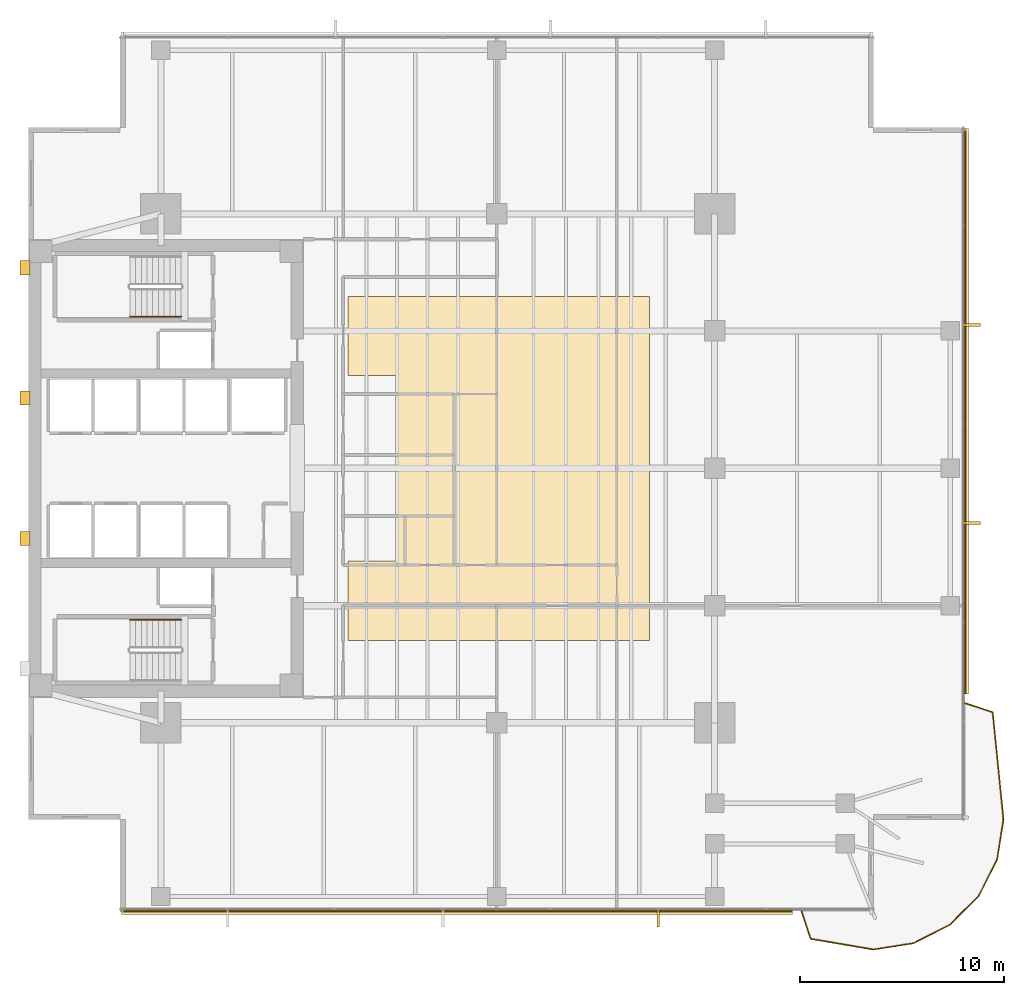
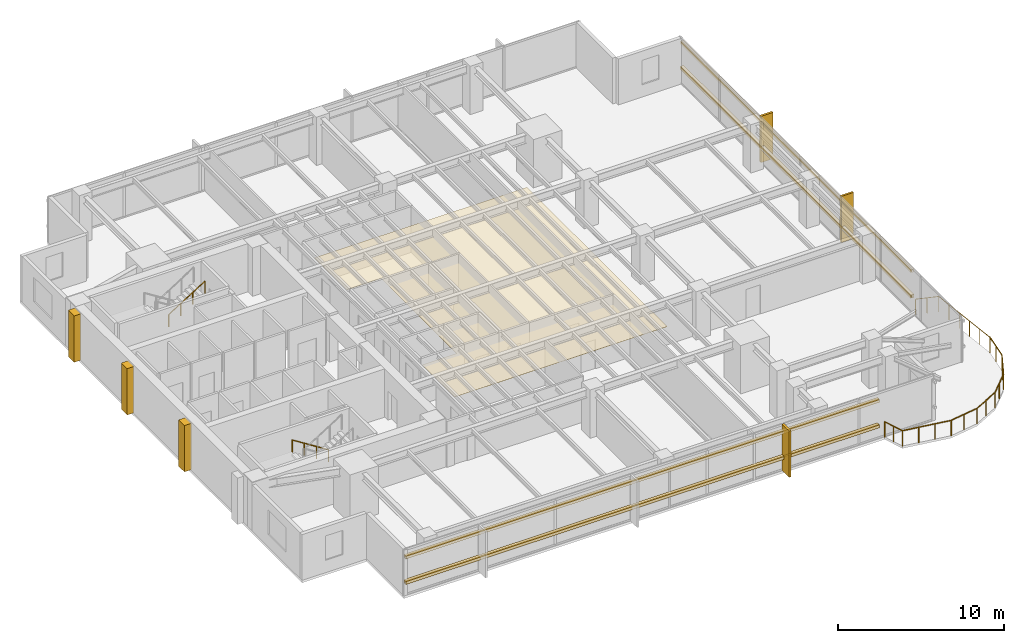
# One storey, part 12 of 14: 11 coverings, 11 railings, 4 shading devices.
"""IFC4 building model written with IfcOpenShell, lengths in metres."""

from ifc_helpers import new_model, si_unit, direction, frame, origin, origin_2d, place, context, subcontext, project, spatial, polyline, rectangle, circle, outline, extrude, material, layer, layer_set, material_profile, profile_set, type_object, element, save


model = new_model("IFC4")

# Units and contexts
model_context = context("Model", 3, precision=1e-05, world=origin(), true_north=direction((0.0, 1.0)))
body_context = subcontext(model_context, "Body", "Model", "MODEL_VIEW")
ifc_project = project(units=[si_unit("LENGTHUNIT", "METRE"), si_unit("AREAUNIT", "SQUARE_METRE"), si_unit("VOLUMEUNIT", "CUBIC_METRE"), si_unit("PLANEANGLEUNIT", "RADIAN"), si_unit("MASSUNIT", "GRAM", prefix="KILO")], contexts=[model_context])

# Site, building, storey
site_placement = place(None, origin())
site = spatial("IfcSite", under=ifc_project, at=site_placement, CompositionType="ELEMENT")
building_placement = place(site_placement, origin())
building = spatial("IfcBuilding", under=site, at=building_placement, Name="Kinhvarn Gate Tower", CompositionType="ELEMENT")
storey_placement = place(building_placement, frame((0.0, 0.0, 141.300048828125)))
storey = spatial("IfcBuildingStorey", under=building, at=storey_placement, Name="L37", CompositionType="ELEMENT", Elevation=141.300048828125)

# Coverings
ifc_material_1 = material(Name="Fired architectural terracotta", Category="masonry")
ifc_layer_1 = layer(ifc_material_1, 0.239990234375)
ifc_layer_set_1 = layer_set([ifc_layer_1], Name="Fired architectural terracotta")
covering_type_1 = type_object("IfcCoveringType", Name="COV-BAG-220", PredefinedType="CLADDING", material=ifc_layer_set_1)
for number, where, name in (
    (1, (0.0, 0.0, 0.93994140625), "Terracotta Horizontal Sunscreen Band TBG-220 (L37)"),
    (2, (0.0, 0.0, 2.81005859375), "Terracotta Horizontal Sunscreen Band TBG-220 (L37)"),
):
    element("IfcCovering", number, at=place(storey_placement, frame(where)), inside=storey, type_object=covering_type_1, Name=name, PredefinedType="CLADDING", context=body_context, shape_type="SweptSolid", body=[
        extrude(outline(polyline([(9.0400390625, 3.570068359375), (42.012939453125, 3.570068359375), (42.012939453125, 3.330078125), (9.0400390625, 3.330078125), (9.0400390625, 3.570068359375)])), origin(), (0.0, 0.0, 1.0), 0.219970703125),
    ])
for number, where, name in (
    (3, (0.0, 0.0, 0.93994140625), "Terracotta Horizontal Sunscreen Band TBG-220 (L37)"),
    (4, (0.0, 0.0, 2.81005859375), "Terracotta Horizontal Sunscreen Band TBG-220 (L37)"),
):
    element("IfcCovering", number, at=place(storey_placement, frame(where)), inside=storey, type_object=covering_type_1, Name=name, PredefinedType="CLADDING", context=body_context, shape_type="SweptSolid", body=[
        extrude(outline(polyline([(50.429931640625, 14.1669921875), (50.429931640625, 41.9599609375), (50.669921875, 41.9599609375), (50.669921875, 14.1669921875), (50.429931640625, 14.1669921875)])), origin(), (0.0, 0.0, 1.0), 0.219970703125),
    ])
ifc_material_2 = material(Name="Mineral-fibre acoustic ceiling tile")
ifc_layer_2 = layer(ifc_material_2, 0.02001953125)
ifc_layer_set_2 = layer_set([ifc_layer_2], Name="Mineral-fibre acoustic ceiling tile")
covering_type_2 = type_object("IfcCoveringType", Name="COV-CEIL-20", PredefinedType="CEILING", material=ifc_layer_set_2)
covering_1_placement = place(storey_placement, frame((0.0, 0.0, 2.64990234375)))
element("IfcCovering", 5, at=covering_1_placement, inside=storey, type_object=covering_type_2, Name="Suspended Acoustic Ceiling Tile (L37-1)", PredefinedType="CEILING", context=body_context, shape_type="SweptSolid", body=[
    extrude(outline(polyline([(35.0, 33.699951171875), (35.0, 16.800048828125), (20.199951171875, 16.800048828125), (20.199951171875, 20.699951171875), (22.60009765625, 20.699951171875), (22.60009765625, 29.800048828125), (20.199951171875, 29.800048828125), (20.199951171875, 33.699951171875), (35.0, 33.699951171875)])), origin(), (0.0, 0.0, 1.0), 0.02001953125),
])
ifc_layer_3 = layer(ifc_material_1, 0.139892578125)
ifc_layer_set_3 = layer_set([ifc_layer_3], Name="Fired architectural terracotta")
covering_type_3 = type_object("IfcCoveringType", Name="COV-FIN-850", PredefinedType="CLADDING", material=ifc_layer_set_3)
covering_2_placement = place(storey_placement, frame((0.0, 0.0, -0.02001953125)))
element("IfcCovering", 6, at=covering_2_placement, inside=storey, type_object=covering_type_3, Name="Vertical Terracotta Expressive Fin TFN-850 (L37)", PredefinedType="CLADDING", context=body_context, shape_type="SweptSolid", body=[
    extrude(outline(polyline([(35.358642578125, 3.580078125), (35.49853515625, 3.580078125), (35.49853515625, 2.72998046875), (35.358642578125, 2.72998046875), (35.358642578125, 3.580078125)])), origin(), (0.0, 0.0, 1.0), 3.409912109375),
])
covering_3_placement = place(storey_placement, frame((0.0, 0.0, -0.02001953125)))
element("IfcCovering", 7, at=covering_3_placement, inside=storey, type_object=covering_type_3, Name="Vertical Terracotta Expressive Fin TFN-850 (L37)", PredefinedType="CLADDING", context=body_context, shape_type="SweptSolid", body=[
    extrude(outline(polyline([(50.419921875, 22.50146484375), (50.419921875, 22.641357421875), (51.27001953125, 22.641357421875), (51.27001953125, 22.50146484375), (50.419921875, 22.50146484375)])), origin(), (0.0, 0.0, 1.0), 3.409912109375),
])
covering_4_placement = place(storey_placement, frame((0.0, 0.0, -0.02001953125)))
element("IfcCovering", 8, at=covering_4_placement, inside=storey, type_object=covering_type_3, Name="Vertical Terracotta Expressive Fin TFN-850 (L37)", PredefinedType="CLADDING", context=body_context, shape_type="SweptSolid", body=[
    extrude(outline(polyline([(50.419921875, 32.2158203125), (50.419921875, 32.355712890625), (51.27001953125, 32.355712890625), (51.27001953125, 32.2158203125), (50.419921875, 32.2158203125)])), origin(), (0.0, 0.0, 1.0), 3.409912109375),
])
ifc_material_3 = material(Name="Precast white architectural concrete C40/50", Category="concrete")
ifc_layer_4 = layer(ifc_material_3, 0.47998046875)
ifc_layer_set_4 = layer_set([ifc_layer_4], Name="Precast white architectural concrete C40/50")
covering_type_4 = type_object("IfcCoveringType", Name="COV-RIB-450", PredefinedType="CLADDING", material=ifc_layer_set_4)
covering_5_placement = place(storey_placement, frame((0.0, 0.0, -0.02001953125)))
element("IfcCovering", 9, at=covering_5_placement, inside=storey, type_object=covering_type_4, Name="West Core Sculptural Concrete Relief Rib CRB-450 (L37)", PredefinedType="CLADDING", context=body_context, shape_type="SweptSolid", body=[
    extrude(outline(polyline([(4.080078125, 21.449951171875), (4.56005859375, 21.449951171875), (4.56005859375, 22.14990234375), (4.080078125, 22.14990234375), (4.080078125, 21.449951171875)])), origin(), (0.0, 0.0, 1.0), 3.409912109375),
])
covering_6_placement = place(storey_placement, frame((0.0, 0.0, -0.02001953125)))
element("IfcCovering", 10, at=covering_6_placement, inside=storey, type_object=covering_type_4, Name="West Core Sculptural Concrete Relief Rib CRB-450 (L37)", PredefinedType="CLADDING", context=body_context, shape_type="SweptSolid", body=[
    extrude(outline(polyline([(4.080078125, 28.35009765625), (4.56005859375, 28.35009765625), (4.56005859375, 29.050048828125), (4.080078125, 29.050048828125), (4.080078125, 28.35009765625)])), origin(), (0.0, 0.0, 1.0), 3.409912109375),
])
covering_7_placement = place(storey_placement, frame((0.0, 0.0, -0.02001953125)))
element("IfcCovering", 11, at=covering_7_placement, inside=storey, type_object=covering_type_4, Name="West Core Sculptural Concrete Relief Rib CRB-450 (L37)", PredefinedType="CLADDING", context=body_context, shape_type="SweptSolid", body=[
    extrude(outline(polyline([(4.080078125, 34.75), (4.56005859375, 34.75), (4.56005859375, 35.449951171875), (4.080078125, 35.449951171875), (4.080078125, 34.75)])), origin(), (0.0, 0.0, 1.0), 3.409912109375),
])

# Railings
ifc_material_4 = material(Name="Clear low-e double glazing", Category="glass")
railing_type_1 = type_object("IfcRailingType", Name="RL-BAL-1150", PredefinedType="BALUSTRADE", material=ifc_material_4)
railing_1_placement = place(storey_placement, frame((42.462890625, 3.5, 0.0)))
element("IfcRailing", 12, at=railing_1_placement, inside=storey, type_object=railing_type_1, Name="S-Carve Balcony Guardrail Seg 1 (L37)", PredefinedType="BALUSTRADE", context=body_context, shape_type="SweptSolid", body=[
    extrude(circle(Radius=0.02392578125, at=origin_2d()), frame((0.0, 0.0, 1.1259765625), z_axis=(0.314080851265, -0.949396239127, 0.0), x_axis=(0.949396239127, 0.314080851265, 0.0)), (0.0, 0.0, 1.0), 1.433349609375),
    extrude(circle(Radius=0.02099609375, at=origin_2d()), origin(), (0.0, 0.0, 1.0), 1.101806640625),
    extrude(circle(Radius=0.02099609375, at=origin_2d()), frame((0.22509765625, -0.680419921875, 0.0)), (0.0, 0.0, 1.0), 1.101806640625),
    extrude(circle(Radius=0.02099609375, at=origin_2d()), frame((0.4501953125, -1.36083984375, 0.0)), (0.0, 0.0, 1.0), 1.101806640625),
])
railing_2_placement = place(storey_placement, frame((42.9130859375, 2.13916015625, 0.0)))
element("IfcRailing", 13, at=railing_2_placement, inside=storey, type_object=railing_type_1, Name="S-Carve Balcony Guardrail Seg 2 (L37)", PredefinedType="BALUSTRADE", context=body_context, shape_type="SweptSolid", body=[
    extrude(circle(Radius=0.02392578125, at=origin_2d()), frame((0.0, 0.0, 1.1259765625), z_axis=(0.985629301193, -0.168922706081, 0.0), x_axis=(0.168922706081, 0.985629301193, 0.0)), (0.0, 0.0, 1.0), 3.1318359375),
    extrude(circle(Radius=0.02099609375, at=origin_2d()), origin(), (0.0, 0.0, 1.0), 1.101806640625),
    extrude(circle(Radius=0.02099609375, at=origin_2d()), frame((1.029052734375, -0.17626953125, 0.0)), (0.0, 0.0, 1.0), 1.101806640625),
    extrude(circle(Radius=0.02099609375, at=origin_2d()), frame((2.057861328125, -0.352783203125, 0.0)), (0.0, 0.0, 1.0), 1.101806640625),
    extrude(circle(Radius=0.02099609375, at=origin_2d()), frame((3.0869140625, -0.529052734375, 0.0)), (0.0, 0.0, 1.0), 1.101806640625),
])
railing_3_placement = place(storey_placement, frame((46.0, 1.610107421875, 0.0)))
element("IfcRailing", 14, at=railing_3_placement, inside=storey, type_object=railing_type_1, Name="S-Carve Balcony Guardrail Seg 3 (L37)", PredefinedType="BALUSTRADE", context=body_context, shape_type="SweptSolid", body=[
    extrude(circle(Radius=0.02392578125, at=origin_2d()), frame((0.0, 0.0, 1.1259765625), z_axis=(0.987707453771, 0.156313741447, 0.0), x_axis=(-0.156313741447, 0.987707453771, 0.0)), (0.0, 0.0, 1.0), 1.999267578125),
    extrude(circle(Radius=0.02099609375, at=origin_2d()), origin(), (0.0, 0.0, 1.0), 1.101806640625),
    extrude(circle(Radius=0.02099609375, at=origin_2d()), frame((0.9873046875, 0.15625, 0.0)), (0.0, 0.0, 1.0), 1.101806640625),
    extrude(circle(Radius=0.02099609375, at=origin_2d()), frame((1.974609375, 0.3125, 0.0)), (0.0, 0.0, 1.0), 1.101806640625),
])
railing_4_placement = place(storey_placement, frame((47.974609375, 1.922607421875, 0.0)))
element("IfcRailing", 15, at=railing_4_placement, inside=storey, type_object=railing_type_1, Name="S-Carve Balcony Guardrail Seg 4 (L37)", PredefinedType="BALUSTRADE", context=body_context, shape_type="SweptSolid", body=[
    extrude(circle(Radius=0.02392578125, at=origin_2d()), frame((0.0, 0.0, 1.1259765625), z_axis=(0.890981709102, 0.454039198799, 0.0), x_axis=(-0.454039198799, 0.890981709102, 0.0)), (0.0, 0.0, 1.0), 1.999267578125),
    extrude(circle(Radius=0.02099609375, at=origin_2d()), origin(), (0.0, 0.0, 1.0), 1.101806640625),
    extrude(circle(Radius=0.02099609375, at=origin_2d()), frame((0.890625, 0.453857421875, 0.0)), (0.0, 0.0, 1.0), 1.101806640625),
    extrude(circle(Radius=0.02099609375, at=origin_2d()), frame((1.78125, 0.90771484375, 0.0)), (0.0, 0.0, 1.0), 1.101806640625),
])
railing_5_placement = place(storey_placement, frame((49.755859375, 2.830322265625, 0.0)))
element("IfcRailing", 16, at=railing_5_placement, inside=storey, type_object=railing_type_1, Name="S-Carve Balcony Guardrail Seg 5 (L37)", PredefinedType="BALUSTRADE", context=body_context, shape_type="SweptSolid", body=[
    extrude(circle(Radius=0.02392578125, at=origin_2d()), frame((0.0, 0.0, 1.1259765625), z_axis=(0.707106781187, 0.707106781187, 0.0), x_axis=(-0.707106781187, 0.707106781187, 0.0)), (0.0, 0.0, 1.0), 1.99951171875),
    extrude(circle(Radius=0.02099609375, at=origin_2d()), origin(), (0.0, 0.0, 1.0), 1.101806640625),
    extrude(circle(Radius=0.02099609375, at=origin_2d()), frame((0.70703125, 0.70703125, 0.0)), (0.0, 0.0, 1.0), 1.101806640625),
    extrude(circle(Radius=0.02099609375, at=origin_2d()), frame((1.413818359375, 1.413818359375, 0.0)), (0.0, 0.0, 1.0), 1.101806640625),
])
railing_6_placement = place(storey_placement, frame((51.169677734375, 4.244140625, 0.0)))
element("IfcRailing", 17, at=railing_6_placement, inside=storey, type_object=railing_type_1, Name="S-Carve Balcony Guardrail Seg 6 (L37)", PredefinedType="BALUSTRADE", context=body_context, shape_type="SweptSolid", body=[
    extrude(circle(Radius=0.02392578125, at=origin_2d()), frame((0.0, 0.0, 1.1259765625), z_axis=(0.454039198799, 0.890981709102, 0.0), x_axis=(-0.890981709102, 0.454039198799, 0.0)), (0.0, 0.0, 1.0), 1.999267578125),
    extrude(circle(Radius=0.02099609375, at=origin_2d()), origin(), (0.0, 0.0, 1.0), 1.101806640625),
    extrude(circle(Radius=0.02099609375, at=origin_2d()), frame((0.453857421875, 0.890625, 0.0)), (0.0, 0.0, 1.0), 1.101806640625),
    extrude(circle(Radius=0.02099609375, at=origin_2d()), frame((0.90771484375, 1.78125, 0.0)), (0.0, 0.0, 1.0), 1.101806640625),
])
railing_7_placement = place(storey_placement, frame((52.077392578125, 6.025390625, 0.0)))
element("IfcRailing", 18, at=railing_7_placement, inside=storey, type_object=railing_type_1, Name="S-Carve Balcony Guardrail Seg 7 (L37)", PredefinedType="BALUSTRADE", context=body_context, shape_type="SweptSolid", body=[
    extrude(circle(Radius=0.02392578125, at=origin_2d()), frame((0.0, 0.0, 1.1259765625), z_axis=(0.156313741447, 0.987707453771, 0.0), x_axis=(-0.987707453771, 0.156313741447, 0.0)), (0.0, 0.0, 1.0), 1.999267578125),
    extrude(circle(Radius=0.02099609375, at=origin_2d()), origin(), (0.0, 0.0, 1.0), 1.101806640625),
    extrude(circle(Radius=0.02099609375, at=origin_2d()), frame((0.15625, 0.9873046875, 0.0)), (0.0, 0.0, 1.0), 1.101806640625),
    extrude(circle(Radius=0.02099609375, at=origin_2d()), frame((0.3125, 1.974609375, 0.0)), (0.0, 0.0, 1.0), 1.101806640625),
])
railing_8_placement = place(storey_placement, frame((52.389892578125, 8.0, 0.0)))
element("IfcRailing", 19, at=railing_8_placement, inside=storey, type_object=railing_type_1, Name="S-Carve Balcony Guardrail Seg 8 (L37)", PredefinedType="BALUSTRADE", context=body_context, shape_type="SweptSolid", body=[
    extrude(circle(Radius=0.02392578125, at=origin_2d()), frame((0.0, 0.0, 1.1259765625), z_axis=(-0.099942077848, 0.994993256799, 0.0), x_axis=(-0.994993256799, -0.099942077848, 0.0)), (0.0, 0.0, 1.0), 5.293701171875),
    extrude(circle(Radius=0.02099609375, at=origin_2d()), origin(), (0.0, 0.0, 1.0), 1.101806640625),
    extrude(circle(Radius=0.02099609375, at=origin_2d()), frame((-0.105712890625, 1.053466796875, 0.0)), (0.0, 0.0, 1.0), 1.101806640625),
    extrude(circle(Radius=0.02099609375, at=origin_2d()), frame((-0.211669921875, 2.10693359375, 0.0)), (0.0, 0.0, 1.0), 1.101806640625),
    extrude(circle(Radius=0.02099609375, at=origin_2d()), frame((-0.3173828125, 3.16015625, 0.0)), (0.0, 0.0, 1.0), 1.101806640625),
    extrude(circle(Radius=0.02099609375, at=origin_2d()), frame((-0.42333984375, 4.213623046875, 0.0)), (0.0, 0.0, 1.0), 1.101806640625),
    extrude(circle(Radius=0.02099609375, at=origin_2d()), frame((-0.529052734375, 5.26708984375, 0.0)), (0.0, 0.0, 1.0), 1.101806640625),
])
railing_9_placement = place(storey_placement, frame((51.86083984375, 13.26708984375, 0.0)))
element("IfcRailing", 20, at=railing_9_placement, inside=storey, type_object=railing_type_1, Name="S-Carve Balcony Guardrail Seg 9 (L37)", PredefinedType="BALUSTRADE", context=body_context, shape_type="SweptSolid", body=[
    extrude(circle(Radius=0.02392578125, at=origin_2d()), frame((0.0, 0.0, 1.1259765625), z_axis=(-0.949447018411, 0.313927315201, 0.0), x_axis=(-0.313927315201, -0.949447018411, 0.0)), (0.0, 0.0, 1.0), 1.433349609375),
    extrude(circle(Radius=0.02099609375, at=origin_2d()), origin(), (0.0, 0.0, 1.0), 1.101806640625),
    extrude(circle(Radius=0.02099609375, at=origin_2d()), frame((-0.680419921875, 0.22509765625, 0.0)), (0.0, 0.0, 1.0), 1.101806640625),
    extrude(circle(Radius=0.02099609375, at=origin_2d()), frame((-1.36083984375, 0.449951171875, 0.0)), (0.0, 0.0, 1.0), 1.101806640625),
])
ifc_material_5 = material(Name="Steel S355", Category="steel")
railing_type_2 = type_object("IfcRailingType", Name="RL-ST-HND", PredefinedType="HANDRAIL", material=ifc_material_5)
railing_10_placement = place(storey_placement, frame((12.0, 17.800048828125, 0.177490234375)))
element("IfcRailing", 21, at=railing_10_placement, inside=storey, type_object=railing_type_2, Name="L37 ST1 stair handrail 1", PredefinedType="HANDRAIL", context=body_context, shape_type="SweptSolid", body=[
    extrude(circle(Radius=0.02392578125, at=origin_2d()), frame((0.0, 0.0, 0.8759765625), z_axis=(-0.84460694969, 0.0, 0.535386869969), x_axis=(0.0, -1.0, 0.0)), (0.0, 0.0, 1.0), 2.983642578125),
    extrude(circle(Radius=0.02099609375, at=origin_2d()), origin(), (0.0, 0.0, 1.0), 0.851806640625),
    extrude(circle(Radius=0.02099609375, at=origin_2d()), frame((-0.840087890625, 0.0, 0.532470703125)), (0.0, 0.0, 1.0), 0.851806640625),
    extrude(circle(Radius=0.02099609375, at=origin_2d()), frame((-1.679931640625, 0.0, 1.06494140625)), (0.0, 0.0, 1.0), 0.851806640625),
    extrude(circle(Radius=0.02099609375, at=origin_2d()), frame((-2.52001953125, 0.0, 1.597412109375)), (0.0, 0.0, 1.0), 0.851806640625),
])
railing_11_placement = place(storey_placement, frame((9.47998046875, 32.699951171875, 1.952392578125)))
element("IfcRailing", 22, at=railing_11_placement, inside=storey, type_object=railing_type_2, Name="L37 ST2 stair handrail 2", PredefinedType="HANDRAIL", context=body_context, shape_type="SweptSolid", body=[
    extrude(circle(Radius=0.02392578125, at=origin_2d()), frame((0.0, 0.0, 0.8759765625), z_axis=(0.84456994832, 0.0, 0.535445237532), x_axis=(0.0, 1.0, 0.0)), (0.0, 0.0, 1.0), 2.98388671875),
    extrude(circle(Radius=0.02099609375, at=origin_2d()), origin(), (0.0, 0.0, 1.0), 0.851806640625),
    extrude(circle(Radius=0.02099609375, at=origin_2d()), frame((0.840087890625, 0.0, 0.532470703125)), (0.0, 0.0, 1.0), 0.851806640625),
    extrude(circle(Radius=0.02099609375, at=origin_2d()), frame((1.679931640625, 0.0, 1.065185546875)), (0.0, 0.0, 1.0), 0.851806640625),
    extrude(circle(Radius=0.02099609375, at=origin_2d()), frame((2.52001953125, 0.0, 1.59765625)), (0.0, 0.0, 1.0), 0.851806640625),
])

# Shading devices
ifc_material_profile = material_profile(ifc_material_1, rectangle(XDim=0.050048828125, YDim=0.1201171875, at=origin_2d()), Name="TC 50x120")
ifc_profile_set = profile_set([ifc_material_profile], Name="Fired architectural terracotta")
shading_device_type = type_object("IfcShadingDeviceType", Name="SHD-BAG-140", PredefinedType="USERDEFINED", material=ifc_profile_set)
for number, where, z_axis, x_axis, name in (
    (23, (9.0400390625, 3.5, 1.050048828125), (1.0, 0.0, 0.0), (0.0, 1.0, 0.0), "Upper Tower Terracotta Baguette Screen Rod 50x120 mm (L37)"),
    (24, (9.0400390625, 3.5, 2.919921875), (1.0, 0.0, 0.0), (0.0, 1.0, 0.0), "Upper Tower Terracotta Baguette Screen Rod 50x120 mm (L37)"),
):
    element("IfcShadingDevice", number, at=place(storey_placement, frame(where, z_axis=z_axis, x_axis=x_axis)), inside=storey, type_object=shading_device_type, Name=name, ObjectType="BAGUETTE", PredefinedType="USERDEFINED", context=body_context, shape_type="SweptSolid", body=[
        extrude(rectangle(XDim=0.050048828125, YDim=0.1201171875, at=origin_2d()), origin(), (0.0, 0.0, 1.0), 32.972900390625),
    ])
for number, where, z_axis, x_axis, name in (
    (25, (50.5, 14.1669921875, 1.050048828125), (0.0, 1.0, 0.0), (-1.0, 0.0, 0.0), "Upper Tower Terracotta Baguette Screen Rod 50x120 mm (L37)"),
    (26, (50.5, 14.1669921875, 2.919921875), (0.0, 1.0, 0.0), (-1.0, 0.0, 0.0), "Upper Tower Terracotta Baguette Screen Rod 50x120 mm (L37)"),
):
    element("IfcShadingDevice", number, at=place(storey_placement, frame(where, z_axis=z_axis, x_axis=x_axis)), inside=storey, type_object=shading_device_type, Name=name, ObjectType="BAGUETTE", PredefinedType="USERDEFINED", context=body_context, shape_type="SweptSolid", body=[
        extrude(rectangle(XDim=0.050048828125, YDim=0.1201171875, at=origin_2d()), origin(), (0.0, 0.0, 1.0), 27.79296875),
    ])

save(model, "model.ifc")
